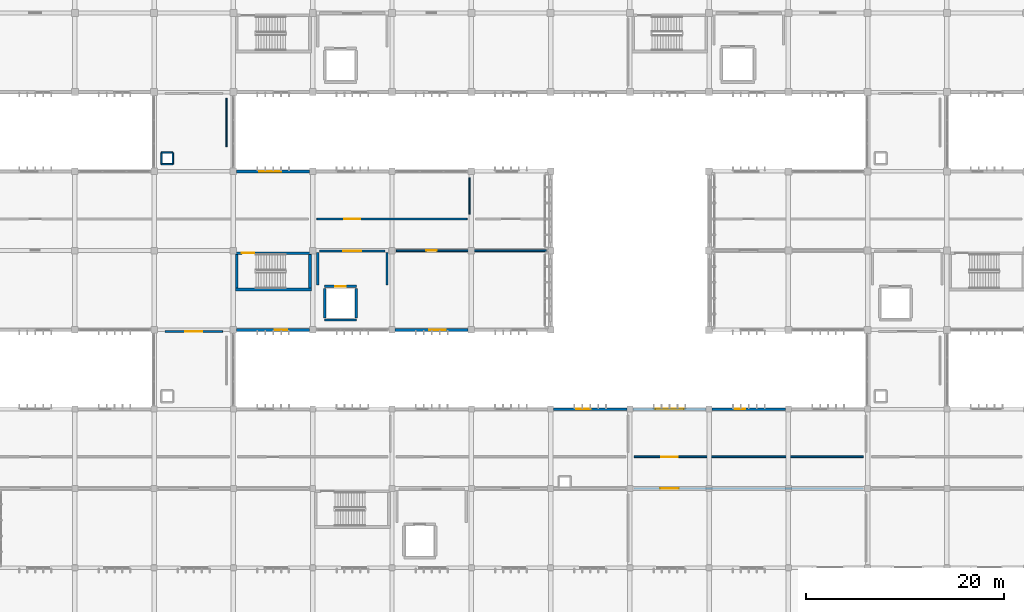
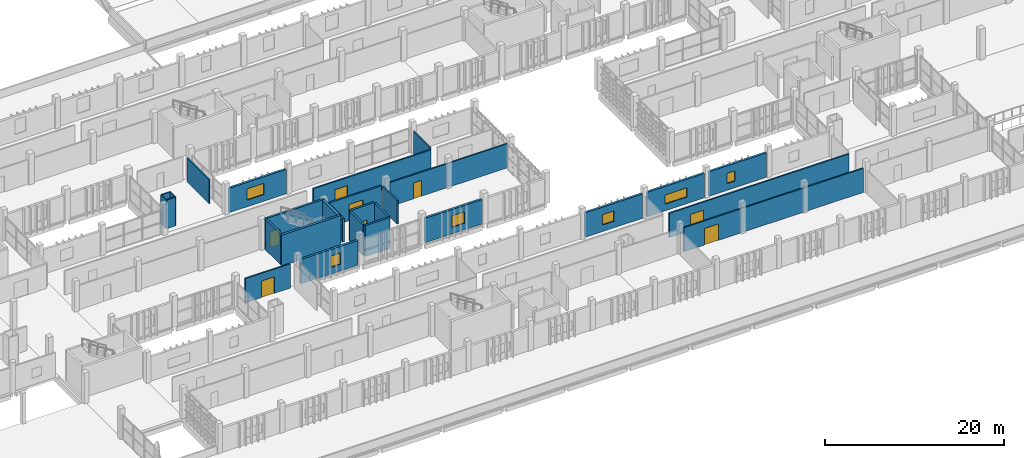
# One storey, part 114 of 137: 28 walls, 8 doors, 6 windows, 14 openings.
"""IFC4 building model written with IfcOpenShell, lengths in metres."""

from ifc_helpers import new_model, si_unit, direction, frame, frame_2d, origin, place, context, subcontext, project, spatial, rectangle, extrude, material, layer, layer_set, type_object, element, fill, save


model = new_model("IFC4")

# Units and contexts
model_context = context("Model", 3, precision=1e-05, world=origin(), true_north=direction((0.0, 1.0)))
body_context = subcontext(model_context, "Body", "Model", "MODEL_VIEW")
ifc_project = project(units=[si_unit("LENGTHUNIT", "METRE"), si_unit("AREAUNIT", "SQUARE_METRE"), si_unit("VOLUMEUNIT", "CUBIC_METRE"), si_unit("PLANEANGLEUNIT", "RADIAN"), si_unit("MASSUNIT", "GRAM", prefix="KILO")], contexts=[model_context])

# Site, building, storey
site_placement = place(None, origin())
site = spatial("IfcSite", under=ifc_project, at=site_placement, CompositionType="ELEMENT")
building_placement = place(site_placement, origin())
building = spatial("IfcBuilding", under=site, at=building_placement, Name="Jelvoka-Kovrelna Polytechnic", CompositionType="ELEMENT")
storey_placement = place(building_placement, frame((0.0, 0.0, 9.60009765625)))
storey = spatial("IfcBuildingStorey", under=building, at=storey_placement, Name="L03", CompositionType="ELEMENT", Elevation=9.60009765625)

# Wall, opening, door
ifc_material_1 = material(Name="Concrete C35/45", Category="concrete")
ifc_layer_1 = layer(ifc_material_1, 0.219970703125)
ifc_layer_set_1 = layer_set([ifc_layer_1], Name="Concrete C35/45")
wall_type_1 = type_object("IfcWallType", Name="Wall_Compartment_220", PredefinedType="PARTITIONING", material=ifc_layer_set_1)
wall_1_placement = place(storey_placement, frame((88.699951171875, 39.949951171875, 0.0), z_axis=(0.0, 0.0, 1.0), x_axis=(1.0, 0.0, 0.0)))
wall_1 = element("IfcWall", 1, at=wall_1_placement, inside=storey, type_object=wall_type_1, Name="L03 interior wall 0424", PredefinedType="PARTITIONING", context=body_context, shape_type="SweptSolid", body=[
    extrude(rectangle(XDim=6.60009765625, YDim=0.219970703125, at=frame_2d((3.300048828125, 0.0))), origin(), (0.0, 0.0, 1.0), 3.27490234375),
])
opening_1_placement = place(wall_1_placement, frame((2.39990234375, 0.0, 0.0)))
opening_1 = element("IfcOpeningElement", 2, at=opening_1_placement, cuts=wall_1, Name="Opening FD-L03-085", PredefinedType="OPENING", context=body_context, shape_type="SweptSolid", body=[
    extrude(rectangle(XDim=1.800048828125, YDim=2.199951171875, at=frame_2d((0.89990234375, 1.10009765625))), frame((0.0, 0.119873046875, 0.0), z_axis=(0.0, -1.0, 0.0), x_axis=(1.0, 0.0, 0.0)), (0.0, 0.0, 1.0), 0.239990234375),
])
ifc_material_2 = material(Name="Paired steel corridor fire door", Category="steel")
door_type_1 = type_object("IfcDoorType", Name="Door_Fire_FD03", OperationType="NOTDEFINED", PredefinedType="DOOR", material=ifc_material_2)
door_1_placement = place(opening_1_placement, origin())
door_1 = element("IfcDoor", 3, at=door_1_placement, inside=storey, type_object=door_type_1, Name="L03 interior door FD-L03-085", OperationType="DOUBLE_DOOR_SINGLE_SWING", OverallHeight=2.199951171875, OverallWidth=1.800048828125, PredefinedType="DOOR", context=body_context, shape_type="SweptSolid", body=[
    extrude(rectangle(XDim=1.800048828125, YDim=2.199951171875, at=frame_2d((0.89990234375, 1.10009765625))), frame((0.0, 0.02490234375, 0.0), z_axis=(0.0, -1.0, 0.0), x_axis=(1.0, 0.0, 0.0)), (0.0, 0.0, 1.0), 0.050048828125),
])
fill(opening_1, door_1)

# Walls
for number, where, z_axis, x_axis, name in (
    (4, (88.5, 36.550048828125, 0.0), (0.0, 0.0, 1.0), (0.0, 1.0, 0.0), "L03 interior wall 0425"),
    (5, (95.5, 36.550048828125, 0.0), (0.0, 0.0, 1.0), (0.0, 1.0, 0.0), "L03 interior wall 0426"),
):
    element("IfcWall", number, at=place(storey_placement, frame(where, z_axis=z_axis, x_axis=x_axis)), inside=storey, type_object=wall_type_1, Name=name, PredefinedType="PARTITIONING", context=body_context, shape_type="SweptSolid", body=[
        extrude(rectangle(XDim=3.25, YDim=0.219970703125, at=frame_2d((1.625, 0.0))), origin(), (0.0, 0.0, 1.0), 3.224853515625),
    ])

# Wall, opening, door
ifc_material_3 = material(Name="Concrete C40/50", Category="concrete")
ifc_layer_2 = layer(ifc_material_3, 0.25)
ifc_layer_set_2 = layer_set([ifc_layer_2], Name="Concrete C40/50")
wall_type_2 = type_object("IfcWallType", Name="Wall_Core_250", PredefinedType="SOLIDWALL", material=ifc_layer_set_2)
wall_2_placement = place(storey_placement, frame((80.199951171875, 39.739990234375, 0.0), z_axis=(0.0, 0.0, 1.0), x_axis=(1.0, 0.0, 0.0)))
wall_2 = element("IfcWall", 6, at=wall_2_placement, inside=storey, type_object=wall_type_2, Name="L03 interior wall 0099", PredefinedType="SOLIDWALL", context=body_context, shape_type="SweptSolid", body=[
    extrude(rectangle(XDim=7.650146484375, YDim=0.25, at=frame_2d((3.8251953125, 0.0))), origin(), (0.0, 0.0, 1.0), 4.199951171875),
])
opening_2_placement = place(wall_2_placement, frame((0.64990234375, 0.0, 0.0)))
opening_2 = element("IfcOpeningElement", 7, at=opening_2_placement, cuts=wall_2, Name="Opening SD-L03-025", PredefinedType="OPENING", context=body_context, shape_type="SweptSolid", body=[
    extrude(rectangle(XDim=1.25, YDim=2.14990234375, at=frame_2d((0.625, 1.074951171875))), frame((0.0, 0.135009765625, 0.0), z_axis=(0.0, -1.0, 0.0), x_axis=(1.0, 0.0, 0.0)), (0.0, 0.0, 1.0), 0.27001953125),
])
ifc_material_4 = material(Name="Powder-coated steel fire door", Category="steel")
door_type_2 = type_object("IfcDoorType", Name="Door_Fire_FD02", OperationType="NOTDEFINED", PredefinedType="DOOR", material=ifc_material_4)
door_2_placement = place(opening_2_placement, origin())
door_2 = element("IfcDoor", 8, at=door_2_placement, inside=storey, type_object=door_type_2, Name="L03 interior door SD-L03-025", OperationType="SINGLE_SWING_LEFT", OverallHeight=2.14990234375, OverallWidth=1.25, PredefinedType="DOOR", context=body_context, shape_type="SweptSolid", body=[
    extrude(rectangle(XDim=1.25, YDim=2.14990234375, at=frame_2d((0.625, 1.074951171875))), frame((0.0, 0.02490234375, 0.0), z_axis=(0.0, -1.0, 0.0), x_axis=(1.0, 0.0, 0.0)), (0.0, 0.0, 1.0), 0.050048828125),
])
fill(opening_2, door_2)

# Walls
wall_3_placement = place(storey_placement, frame((80.324951171875, 36.25, 0.0), z_axis=(0.0, 0.0, 1.0), x_axis=(0.0, 1.0, 0.0)))
element("IfcWall", 9, at=wall_3_placement, inside=storey, type_object=wall_type_2, Name="L03 interior wall 0100", PredefinedType="SOLIDWALL", context=body_context, shape_type="SweptSolid", body=[
    extrude(rectangle(XDim=3.360107421875, YDim=0.25, at=frame_2d((1.68017578125, 0.0))), origin(), (0.0, 0.0, 1.0), 4.199951171875),
])
wall_4_placement = place(storey_placement, frame((89.199951171875, 33.0, 0.0), z_axis=(0.0, 0.0, 1.0), x_axis=(1.0, 0.0, 0.0)))
element("IfcWall", 10, at=wall_4_placement, inside=storey, type_object=wall_type_2, Name="L03 interior wall 0420", PredefinedType="SOLIDWALL", context=body_context, shape_type="SweptSolid", body=[
    extrude(rectangle(XDim=3.199951171875, YDim=0.25, at=frame_2d((1.60009765625, 0.0))), origin(), (0.0, 0.0, 1.0), 4.199951171875),
])

# Wall, opening, door
wall_5_placement = place(storey_placement, frame((89.199951171875, 36.39990234375, 0.0), z_axis=(0.0, 0.0, 1.0), x_axis=(1.0, 0.0, 0.0)))
wall_5 = element("IfcWall", 11, at=wall_5_placement, inside=storey, type_object=wall_type_2, Name="L03 interior wall 0421", PredefinedType="SOLIDWALL", context=body_context, shape_type="SweptSolid", body=[
    extrude(rectangle(XDim=3.199951171875, YDim=0.25, at=frame_2d((1.60009765625, 0.0))), origin(), (0.0, 0.0, 1.0), 4.199951171875),
])
opening_3_placement = place(wall_5_placement, frame((1.050048828125, 0.0, 0.0)))
opening_3 = element("IfcOpeningElement", 12, at=opening_3_placement, cuts=wall_5, Name="Opening LD-L03-22", PredefinedType="OPENING", context=body_context, shape_type="SweptSolid", body=[
    extrude(rectangle(XDim=1.10009765625, YDim=2.14990234375, at=frame_2d((0.550048828125, 1.074951171875))), frame((0.0, 0.135009765625, 0.0), z_axis=(0.0, -1.0, 0.0), x_axis=(1.0, 0.0, 0.0)), (0.0, 0.0, 1.0), 0.27001953125),
])
ifc_material_5 = material(Name="Brushed stainless steel sliding landing door", Category="steel")
door_type_3 = type_object("IfcDoorType", Name="Door_Lift_LD01", OperationType="NOTDEFINED", PredefinedType="DOOR", material=ifc_material_5)
door_3_placement = place(opening_3_placement, origin())
door_3 = element("IfcDoor", 13, at=door_3_placement, inside=storey, type_object=door_type_3, Name="L03 lift landing sliding door LD-L03-22", OperationType="DOUBLE_DOOR_SLIDING", OverallHeight=2.14990234375, OverallWidth=1.10009765625, PredefinedType="DOOR", context=body_context, shape_type="SweptSolid", body=[
    extrude(rectangle(XDim=1.10009765625, YDim=2.14990234375, at=frame_2d((0.550048828125, 1.074951171875))), frame((0.0, 0.02490234375, 0.0), z_axis=(0.0, -1.0, 0.0), x_axis=(1.0, 0.0, 0.0)), (0.0, 0.0, 1.0), 0.050048828125),
])
fill(opening_3, door_3)

# Walls
for number, where, z_axis, x_axis, name in (
    (14, (89.199951171875, 33.199951171875, 0.0), (0.0, 0.0, 1.0), (0.0, 1.0, 0.0), "L03 interior wall 0422"),
    (15, (92.39990234375, 33.199951171875, 0.0), (0.0, 0.0, 1.0), (0.0, 1.0, 0.0), "L03 interior wall 0423"),
):
    element("IfcWall", number, at=place(storey_placement, frame(where, z_axis=z_axis, x_axis=x_axis)), inside=storey, type_object=wall_type_2, Name=name, PredefinedType="SOLIDWALL", context=body_context, shape_type="SweptSolid", body=[
        extrude(rectangle(XDim=3.0, YDim=0.25, at=frame_2d((1.5, 0.0))), origin(), (0.0, 0.0, 1.0), 4.199951171875),
    ])

# Wall, opening, door
ifc_material_6 = material(Name="Autoclaved aerated concrete blockwork", Category="masonry")
ifc_layer_3 = layer(ifc_material_6, 0.179931640625)
ifc_layer_set_3 = layer_set([ifc_layer_3], Name="Autoclaved aerated concrete blockwork")
wall_type_3 = type_object("IfcWallType", Name="Wall_Corridor_180", PredefinedType="PARTITIONING", material=ifc_layer_set_3)
wall_6_placement = place(storey_placement, frame((120.429931640625, 16.0, 0.0), z_axis=(0.0, 0.0, 1.0), x_axis=(1.0, 0.0, 0.0)))
wall_6 = element("IfcWall", 16, at=wall_6_placement, inside=storey, type_object=wall_type_3, Name="L03 interior wall 1039", PredefinedType="PARTITIONING", context=body_context, shape_type="SweptSolid", body=[
    extrude(rectangle(XDim=23.14013671875, YDim=0.179931640625, at=frame_2d((11.570068359375, 0.0))), origin(), (0.0, 0.0, 1.0), 3.27490234375),
])
opening_4_placement = place(wall_6_placement, frame((2.659912109375, 0.0, 0.0)))
opening_4 = element("IfcOpeningElement", 17, at=opening_4_placement, cuts=wall_6, Name="Opening D-L03-283", PredefinedType="OPENING", context=body_context, shape_type="SweptSolid", body=[
    extrude(rectangle(XDim=1.820068359375, YDim=2.25, at=frame_2d((0.91015625, 1.125))), frame((0.0, 0.099853515625, 0.0), z_axis=(0.0, -1.0, 0.0), x_axis=(1.0, 0.0, 0.0)), (0.0, 0.0, 1.0), 0.199951171875),
])
ifc_material_7 = material(Name="Paired hardwood fire-resisting assembly door", Category="wood")
door_type_4 = type_object("IfcDoorType", Name="Door_Fire_FD30_10", OperationType="NOTDEFINED", PredefinedType="DOOR", material=ifc_material_7)
door_4_placement = place(opening_4_placement, origin())
door_4 = element("IfcDoor", 18, at=door_4_placement, inside=storey, type_object=door_type_4, Name="L03 interior door D-L03-283", OperationType="DOUBLE_DOOR_SINGLE_SWING", OverallHeight=2.25, OverallWidth=1.820068359375, PredefinedType="DOOR", context=body_context, shape_type="SweptSolid", body=[
    extrude(rectangle(XDim=1.820068359375, YDim=2.25, at=frame_2d((0.91015625, 1.125))), frame((0.0, 0.02490234375, 0.0), z_axis=(0.0, -1.0, 0.0), x_axis=(1.0, 0.0, 0.0)), (0.0, 0.0, 1.0), 0.050048828125),
])
fill(opening_4, door_4)

wall_7_placement = place(storey_placement, frame((120.429931640625, 19.199951171875, 0.0), z_axis=(0.0, 0.0, 1.0), x_axis=(1.0, 0.0, 0.0)))
wall_7 = element("IfcWall", 19, at=wall_7_placement, inside=storey, type_object=wall_type_3, Name="L03 interior wall 1047", PredefinedType="PARTITIONING", context=body_context, shape_type="SweptSolid", body=[
    extrude(rectangle(XDim=23.14013671875, YDim=0.179931640625, at=frame_2d((11.570068359375, 0.0))), origin(), (0.0, 0.0, 1.0), 3.2998046875),
])
opening_5_placement = place(wall_7_placement, frame((2.739990234375, 0.0, 0.0)))
opening_5 = element("IfcOpeningElement", 20, at=opening_5_placement, cuts=wall_7, Name="Opening D-L03-288", PredefinedType="OPENING", context=body_context, shape_type="SweptSolid", body=[
    extrude(rectangle(XDim=1.659912109375, YDim=2.219970703125, at=frame_2d((0.830078125, 1.10986328125))), frame((0.0, 0.099853515625, 0.0), z_axis=(0.0, -1.0, 0.0), x_axis=(1.0, 0.0, 0.0)), (0.0, 0.0, 1.0), 0.199951171875),
])
ifc_material_8 = material(Name="Paired acoustic fire-resisting lecture door", Category="wood")
door_type_5 = type_object("IfcDoorType", Name="Door_Fire_FD30_08", OperationType="NOTDEFINED", PredefinedType="DOOR", material=ifc_material_8)
door_5_placement = place(opening_5_placement, origin())
door_5 = element("IfcDoor", 21, at=door_5_placement, inside=storey, type_object=door_type_5, Name="L03 interior door D-L03-288", OperationType="DOUBLE_DOOR_SINGLE_SWING", OverallHeight=2.219970703125, OverallWidth=1.659912109375, PredefinedType="DOOR", context=body_context, shape_type="SweptSolid", body=[
    extrude(rectangle(XDim=1.659912109375, YDim=2.219970703125, at=frame_2d((0.830078125, 1.10986328125))), frame((0.0, 0.02490234375, 0.0), z_axis=(0.0, -1.0, 0.0), x_axis=(1.0, 0.0, 0.0)), (0.0, 0.0, 1.0), 0.050048828125),
])
fill(opening_5, door_5)

wall_8_placement = place(storey_placement, frame((96.429931640625, 40.0, 0.0), z_axis=(0.0, 0.0, 1.0), x_axis=(1.0, 0.0, 0.0)))
wall_8 = element("IfcWall", 22, at=wall_8_placement, inside=storey, type_object=wall_type_3, Name="L03 interior wall 1051", PredefinedType="PARTITIONING", context=body_context, shape_type="SweptSolid", body=[
    extrude(rectangle(XDim=15.14013671875, YDim=0.179931640625, at=frame_2d((7.570068359375, 0.0))), origin(), (0.0, 0.0, 1.0), 3.27490234375),
])
opening_6_placement = place(wall_8_placement, frame((3.044921875, 0.0, 0.0)))
opening_6 = element("IfcOpeningElement", 23, at=opening_6_placement, cuts=wall_8, Name="Opening D-L03-291", PredefinedType="OPENING", context=body_context, shape_type="SweptSolid", body=[
    extrude(rectangle(XDim=1.050048828125, YDim=2.14990234375, at=frame_2d((0.52490234375, 1.074951171875))), frame((0.0, 0.099853515625, 0.0), z_axis=(0.0, -1.0, 0.0), x_axis=(1.0, 0.0, 0.0)), (0.0, 0.0, 1.0), 0.199951171875),
])
ifc_material_9 = material(Name="Hardwood fire-resisting laboratory door", Category="wood")
door_type_6 = type_object("IfcDoorType", Name="Door_Fire_FD30_02", OperationType="NOTDEFINED", PredefinedType="DOOR", material=ifc_material_9)
door_6_placement = place(opening_6_placement, origin())
door_6 = element("IfcDoor", 24, at=door_6_placement, inside=storey, type_object=door_type_6, Name="L03 interior door D-L03-291", OperationType="SINGLE_SWING_RIGHT", OverallHeight=2.14990234375, OverallWidth=1.050048828125, PredefinedType="DOOR", context=body_context, shape_type="SweptSolid", body=[
    extrude(rectangle(XDim=1.050048828125, YDim=2.14990234375, at=frame_2d((0.52490234375, 1.074951171875))), frame((0.0, 0.02490234375, 0.0), z_axis=(0.0, -1.0, 0.0), x_axis=(1.0, 0.0, 0.0)), (0.0, 0.0, 1.0), 0.050048828125),
])
fill(opening_6, door_6)

wall_9_placement = place(storey_placement, frame((88.429931640625, 43.199951171875, 0.0), z_axis=(0.0, 0.0, 1.0), x_axis=(1.0, 0.0, 0.0)))
wall_9 = element("IfcWall", 25, at=wall_9_placement, inside=storey, type_object=wall_type_3, Name="L03 interior wall 1053", PredefinedType="PARTITIONING", context=body_context, shape_type="SweptSolid", body=[
    extrude(rectangle(XDim=15.14013671875, YDim=0.179931640625, at=frame_2d((7.570068359375, 0.0))), origin(), (0.0, 0.0, 1.0), 3.2998046875),
])
opening_7_placement = place(wall_9_placement, frame((2.760009765625, 0.0, 0.0)))
opening_7 = element("IfcOpeningElement", 26, at=opening_7_placement, cuts=wall_9, Name="Opening D-L03-293", PredefinedType="OPENING", context=body_context, shape_type="SweptSolid", body=[
    extrude(rectangle(XDim=1.6201171875, YDim=2.199951171875, at=frame_2d((0.81005859375, 1.10009765625))), frame((0.0, 0.099853515625, 0.0), z_axis=(0.0, -1.0, 0.0), x_axis=(1.0, 0.0, 0.0)), (0.0, 0.0, 1.0), 0.199951171875),
])
ifc_material_10 = material(Name="Paired library reading hall door", Category="wood")
door_type_7 = type_object("IfcDoorType", Name="Door_Int_D19", OperationType="NOTDEFINED", PredefinedType="DOOR", material=ifc_material_10)
door_7_placement = place(opening_7_placement, origin())
door_7 = element("IfcDoor", 27, at=door_7_placement, inside=storey, type_object=door_type_7, Name="L03 interior door D-L03-293", OperationType="DOUBLE_DOOR_SINGLE_SWING", OverallHeight=2.199951171875, OverallWidth=1.6201171875, PredefinedType="DOOR", context=body_context, shape_type="SweptSolid", body=[
    extrude(rectangle(XDim=1.6201171875, YDim=2.199951171875, at=frame_2d((0.81005859375, 1.10009765625))), frame((0.0, 0.02490234375, 0.0), z_axis=(0.0, -1.0, 0.0), x_axis=(1.0, 0.0, 0.0)), (0.0, 0.0, 1.0), 0.050048828125),
])
fill(opening_7, door_7)

wall_10_placement = place(storey_placement, frame((73.10009765625, 31.85009765625, 0.0), z_axis=(0.0, 0.0, 1.0), x_axis=(1.0, 0.0, 0.0)))
wall_10 = element("IfcWall", 28, at=wall_10_placement, inside=storey, type_object=wall_type_3, Name="L03 interior wall 1077", PredefinedType="PARTITIONING", context=body_context, shape_type="SweptSolid", body=[
    extrude(rectangle(XDim=5.7998046875, YDim=0.179931640625, at=frame_2d((2.89990234375, 0.0))), origin(), (0.0, 0.0, 1.0), 3.2998046875),
])
opening_8_placement = place(wall_10_placement, frame((2.06005859375, 0.0, 0.0)))
opening_8 = element("IfcOpeningElement", 29, at=opening_8_placement, cuts=wall_10, Name="Opening D-L03-311", PredefinedType="OPENING", context=body_context, shape_type="SweptSolid", body=[
    extrude(rectangle(XDim=1.679931640625, YDim=2.25, at=frame_2d((0.83984375, 1.125))), frame((0.0, 0.099853515625, 0.0), z_axis=(0.0, -1.0, 0.0), x_axis=(1.0, 0.0, 0.0)), (0.0, 0.0, 1.0), 0.199951171875),
])
ifc_material_11 = material(Name="Paired acoustic lecture theatre door", Category="wood")
door_type_8 = type_object("IfcDoorType", Name="Door_Int_D20", OperationType="NOTDEFINED", PredefinedType="DOOR", material=ifc_material_11)
door_8_placement = place(opening_8_placement, origin())
door_8 = element("IfcDoor", 30, at=door_8_placement, inside=storey, type_object=door_type_8, Name="L03 interior door D-L03-311", OperationType="DOUBLE_DOOR_SINGLE_SWING", OverallHeight=2.25, OverallWidth=1.679931640625, PredefinedType="DOOR", context=body_context, shape_type="SweptSolid", body=[
    extrude(rectangle(XDim=1.679931640625, YDim=2.25, at=frame_2d((0.83984375, 1.125))), frame((0.0, 0.02490234375, 0.0), z_axis=(0.0, -1.0, 0.0), x_axis=(1.0, 0.0, 0.0)), (0.0, 0.0, 1.0), 0.050048828125),
])
fill(opening_8, door_8)

# Wall, opening, window
ifc_material_12 = material(Name="Precast concrete C40/50", Category="concrete")
ifc_layer_4 = layer(ifc_material_12, 0.280029296875)
ifc_layer_set_4 = layer_set([ifc_layer_4], Name="Precast concrete C40/50")
wall_type_4 = type_object("IfcWallType", Name="Wall_Ext_White_280", PredefinedType="STANDARD", material=ifc_layer_set_4)
wall_11_placement = place(storey_placement, frame((112.297119140625, 24.0, 0.0), z_axis=(0.0, 0.0, 1.0), x_axis=(1.0, 0.0, 0.0)))
wall_11 = element("IfcWall", 31, at=wall_11_placement, inside=storey, type_object=wall_type_4, Name="L03 exterior wall 0296", PredefinedType="STANDARD", context=body_context, shape_type="SweptSolid", body=[
    extrude(rectangle(XDim=7.40576171875, YDim=0.280029296875, at=frame_2d((3.702880859375, 0.0))), origin(), (0.0, 0.0, 1.0), 3.324951171875),
])
opening_9_placement = place(wall_11_placement, frame((2.282958984375, 0.0, 0.89990234375)))
opening_9 = element("IfcOpeningElement", 32, at=opening_9_placement, cuts=wall_11, Name="Opening W-L03-058", PredefinedType="OPENING", context=body_context, shape_type="SweptSolid", body=[
    extrude(rectangle(XDim=1.449951171875, YDim=1.39990234375, at=frame_2d((0.72509765625, 0.699951171875))), frame((0.0, 0.150146484375, 0.0), z_axis=(0.0, -1.0, 0.0), x_axis=(1.0, 0.0, 0.0)), (0.0, 0.0, 1.0), 0.300048828125),
])
ifc_material_13 = material(Name="Thermally broken anodised aluminium and low-e glazing", Category="aluminium")
window_type_1 = type_object("IfcWindowType", Name="Win_Casement_W13", PartitioningType="SINGLE_PANEL", PredefinedType="WINDOW", material=ifc_material_13)
window_1_placement = place(opening_9_placement, origin())
window_1 = element("IfcWindow", 33, at=window_1_placement, inside=storey, type_object=window_type_1, Name="L03 aluminium casement window W-L03-058", OverallHeight=1.39990234375, OverallWidth=1.449951171875, PartitioningType="SINGLE_PANEL", PredefinedType="WINDOW", context=body_context, shape_type="SweptSolid", body=[
    extrude(rectangle(XDim=1.449951171875, YDim=1.39990234375, at=frame_2d((0.72509765625, 0.699951171875))), frame((0.0, 0.030029296875, 0.0), z_axis=(0.0, -1.0, 0.0), x_axis=(1.0, 0.0, 0.0)), (0.0, 0.0, 1.0), 0.06005859375),
])
fill(opening_9, window_1)

wall_12_placement = place(storey_placement, frame((120.297119140625, 24.0, 0.0), z_axis=(0.0, 0.0, 1.0), x_axis=(1.0, 0.0, 0.0)))
wall_12 = element("IfcWall", 34, at=wall_12_placement, inside=storey, type_object=wall_type_4, Name="L03 exterior wall 0298", PredefinedType="STANDARD", context=body_context, shape_type="SweptSolid", body=[
    extrude(rectangle(XDim=7.40576171875, YDim=0.280029296875, at=frame_2d((3.702880859375, 0.0))), origin(), (0.0, 0.0, 1.0), 3.324951171875),
])
opening_10_placement = place(wall_12_placement, frame((2.282958984375, 0.0, 0.89990234375)))
opening_10 = element("IfcOpeningElement", 35, at=opening_10_placement, cuts=wall_12, Name="Opening W-L03-060", PredefinedType="OPENING", context=body_context, shape_type="SweptSolid", body=[
    extrude(rectangle(XDim=2.85009765625, YDim=1.25, at=frame_2d((1.425048828125, 0.625))), frame((0.0, 0.150146484375, 0.0), z_axis=(0.0, -1.0, 0.0), x_axis=(1.0, 0.0, 0.0)), (0.0, 0.0, 1.0), 0.300048828125),
])
ifc_material_14 = material(Name="Thermally broken anodised aluminium and low-e glazing", Category="aluminium")
window_type_2 = type_object("IfcWindowType", Name="Win_Casement_W10", PartitioningType="DOUBLE_PANEL_VERTICAL", PredefinedType="WINDOW", material=ifc_material_14)
window_2_placement = place(opening_10_placement, origin())
window_2 = element("IfcWindow", 36, at=window_2_placement, inside=storey, type_object=window_type_2, Name="L03 aluminium casement window W-L03-060", OverallHeight=1.25, OverallWidth=2.85009765625, PartitioningType="DOUBLE_PANEL_VERTICAL", PredefinedType="WINDOW", context=body_context, shape_type="SweptSolid", body=[
    extrude(rectangle(XDim=2.85009765625, YDim=1.25, at=frame_2d((1.425048828125, 0.625))), frame((0.0, 0.030029296875, 0.0), z_axis=(0.0, -1.0, 0.0), x_axis=(1.0, 0.0, 0.0)), (0.0, 0.0, 1.0), 0.06005859375),
])
fill(opening_10, window_2)

wall_13_placement = place(storey_placement, frame((128.297119140625, 24.0, 0.0), z_axis=(0.0, 0.0, 1.0), x_axis=(1.0, 0.0, 0.0)))
wall_13 = element("IfcWall", 37, at=wall_13_placement, inside=storey, type_object=wall_type_4, Name="L03 exterior wall 0300", PredefinedType="STANDARD", context=body_context, shape_type="SweptSolid", body=[
    extrude(rectangle(XDim=7.40576171875, YDim=0.280029296875, at=frame_2d((3.702880859375, 0.0))), origin(), (0.0, 0.0, 1.0), 3.324951171875),
])
opening_11_placement = place(wall_13_placement, frame((2.282958984375, 0.0, 0.89990234375)))
opening_11 = element("IfcOpeningElement", 38, at=opening_11_placement, cuts=wall_13, Name="Opening W-L03-062", PredefinedType="OPENING", context=body_context, shape_type="SweptSolid", body=[
    extrude(rectangle(XDim=1.050048828125, YDim=1.39990234375, at=frame_2d((0.52490234375, 0.699951171875))), frame((0.0, 0.150146484375, 0.0), z_axis=(0.0, -1.0, 0.0), x_axis=(1.0, 0.0, 0.0)), (0.0, 0.0, 1.0), 0.300048828125),
])
ifc_material_15 = material(Name="Thermally broken anodised aluminium and low-e glazing", Category="aluminium")
window_type_3 = type_object("IfcWindowType", Name="Win_Casement_W11", PartitioningType="SINGLE_PANEL", PredefinedType="WINDOW", material=ifc_material_15)
window_3_placement = place(opening_11_placement, origin())
window_3 = element("IfcWindow", 39, at=window_3_placement, inside=storey, type_object=window_type_3, Name="L03 aluminium casement window W-L03-062", OverallHeight=1.39990234375, OverallWidth=1.050048828125, PartitioningType="SINGLE_PANEL", PredefinedType="WINDOW", context=body_context, shape_type="SweptSolid", body=[
    extrude(rectangle(XDim=1.050048828125, YDim=1.39990234375, at=frame_2d((0.52490234375, 0.699951171875))), frame((0.0, 0.030029296875, 0.0), z_axis=(0.0, -1.0, 0.0), x_axis=(1.0, 0.0, 0.0)), (0.0, 0.0, 1.0), 0.06005859375),
])
fill(opening_11, window_3)

wall_14_placement = place(storey_placement, frame((87.677978515625, 32.0, 0.0), z_axis=(0.0, 0.0, 1.0), x_axis=(-1.0, 0.0, 0.0)))
wall_14 = element("IfcWall", 40, at=wall_14_placement, inside=storey, type_object=wall_type_4, Name="L03 exterior wall 0390", PredefinedType="STANDARD", context=body_context, shape_type="SweptSolid", body=[
    extrude(rectangle(XDim=7.35595703125, YDim=0.280029296875, at=frame_2d((3.677978515625, 0.0))), origin(), (0.0, 0.0, 1.0), 3.324951171875),
])
opening_12_placement = place(wall_14_placement, frame((2.258056640625, 0.0, 0.89990234375)))
opening_12 = element("IfcOpeningElement", 41, at=opening_12_placement, cuts=wall_14, Name="Opening W-L03-131", PredefinedType="OPENING", context=body_context, shape_type="SweptSolid", body=[
    extrude(rectangle(XDim=1.25, YDim=1.550048828125, at=frame_2d((0.625, 0.77490234375))), frame((0.0, 0.150146484375, 0.0), z_axis=(0.0, -1.0, 0.0), x_axis=(1.0, 0.0, 0.0)), (0.0, 0.0, 1.0), 0.300048828125),
])
ifc_material_16 = material(Name="Thermally broken anodised aluminium and low-e glazing", Category="aluminium")
window_type_4 = type_object("IfcWindowType", Name="Win_Casement_W22", PartitioningType="SINGLE_PANEL", PredefinedType="WINDOW", material=ifc_material_16)
window_4_placement = place(opening_12_placement, origin())
window_4 = element("IfcWindow", 42, at=window_4_placement, inside=storey, type_object=window_type_4, Name="L03 aluminium casement window W-L03-131", OverallHeight=1.550048828125, OverallWidth=1.25, PartitioningType="SINGLE_PANEL", PredefinedType="WINDOW", context=body_context, shape_type="SweptSolid", body=[
    extrude(rectangle(XDim=1.25, YDim=1.550048828125, at=frame_2d((0.625, 0.77490234375))), frame((0.0, 0.030029296875, 0.0), z_axis=(0.0, -1.0, 0.0), x_axis=(1.0, 0.0, 0.0)), (0.0, 0.0, 1.0), 0.06005859375),
])
fill(opening_12, window_4)

wall_15_placement = place(storey_placement, frame((80.322021484375, 48.0, 0.0), z_axis=(0.0, 0.0, 1.0), x_axis=(1.0, 0.0, 0.0)))
wall_15 = element("IfcWall", 43, at=wall_15_placement, inside=storey, type_object=wall_type_4, Name="L03 exterior wall 0391", PredefinedType="STANDARD", context=body_context, shape_type="SweptSolid", body=[
    extrude(rectangle(XDim=7.35595703125, YDim=0.280029296875, at=frame_2d((3.677978515625, 0.0))), origin(), (0.0, 0.0, 1.0), 3.324951171875),
])
opening_13_placement = place(wall_15_placement, frame((2.258056640625, 0.0, 0.89990234375)))
opening_13 = element("IfcOpeningElement", 44, at=opening_13_placement, cuts=wall_15, Name="Opening W-L03-132", PredefinedType="OPENING", context=body_context, shape_type="SweptSolid", body=[
    extrude(rectangle(XDim=2.25, YDim=1.550048828125, at=frame_2d((1.125, 0.77490234375))), frame((0.0, 0.150146484375, 0.0), z_axis=(0.0, -1.0, 0.0), x_axis=(1.0, 0.0, 0.0)), (0.0, 0.0, 1.0), 0.300048828125),
])
ifc_material_17 = material(Name="Thermally broken anodised aluminium and low-e glazing", Category="aluminium")
window_type_5 = type_object("IfcWindowType", Name="Win_Casement_W27", PartitioningType="DOUBLE_PANEL_VERTICAL", PredefinedType="WINDOW", material=ifc_material_17)
window_5_placement = place(opening_13_placement, origin())
window_5 = element("IfcWindow", 45, at=window_5_placement, inside=storey, type_object=window_type_5, Name="L03 aluminium casement window W-L03-132", OverallHeight=1.550048828125, OverallWidth=2.25, PartitioningType="DOUBLE_PANEL_VERTICAL", PredefinedType="WINDOW", context=body_context, shape_type="SweptSolid", body=[
    extrude(rectangle(XDim=2.25, YDim=1.550048828125, at=frame_2d((1.125, 0.77490234375))), frame((0.0, 0.030029296875, 0.0), z_axis=(0.0, -1.0, 0.0), x_axis=(1.0, 0.0, 0.0)), (0.0, 0.0, 1.0), 0.06005859375),
])
fill(opening_13, window_5)

wall_16_placement = place(storey_placement, frame((103.677978515625, 32.0, 0.0), z_axis=(0.0, 0.0, 1.0), x_axis=(-1.0, 0.0, 0.0)))
wall_16 = element("IfcWall", 46, at=wall_16_placement, inside=storey, type_object=wall_type_4, Name="L03 exterior wall 0393", PredefinedType="STANDARD", context=body_context, shape_type="SweptSolid", body=[
    extrude(rectangle(XDim=7.35595703125, YDim=0.280029296875, at=frame_2d((3.677978515625, 0.0))), origin(), (0.0, 0.0, 1.0), 3.324951171875),
])
opening_14_placement = place(wall_16_placement, frame((2.258056640625, 0.0, 0.89990234375)))
opening_14 = element("IfcOpeningElement", 47, at=opening_14_placement, cuts=wall_16, Name="Opening W-L03-134", PredefinedType="OPENING", context=body_context, shape_type="SweptSolid", body=[
    extrude(rectangle(XDim=1.64990234375, YDim=1.550048828125, at=frame_2d((0.824951171875, 0.77490234375))), frame((0.0, 0.150146484375, 0.0), z_axis=(0.0, -1.0, 0.0), x_axis=(1.0, 0.0, 0.0)), (0.0, 0.0, 1.0), 0.300048828125),
])
ifc_material_18 = material(Name="Thermally broken anodised aluminium and low-e glazing", Category="aluminium")
window_type_6 = type_object("IfcWindowType", Name="Win_Casement_W24", PartitioningType="DOUBLE_PANEL_VERTICAL", PredefinedType="WINDOW", material=ifc_material_18)
window_6_placement = place(opening_14_placement, origin())
window_6 = element("IfcWindow", 48, at=window_6_placement, inside=storey, type_object=window_type_6, Name="L03 aluminium casement window W-L03-134", OverallHeight=1.550048828125, OverallWidth=1.64990234375, PartitioningType="DOUBLE_PANEL_VERTICAL", PredefinedType="WINDOW", context=body_context, shape_type="SweptSolid", body=[
    extrude(rectangle(XDim=1.64990234375, YDim=1.550048828125, at=frame_2d((0.824951171875, 0.77490234375))), frame((0.0, 0.030029296875, 0.0), z_axis=(0.0, -1.0, 0.0), x_axis=(1.0, 0.0, 0.0)), (0.0, 0.0, 1.0), 0.06005859375),
])
fill(opening_14, window_6)

# Walls
ifc_material_19 = material(Name="Acoustic gypsum stud partition")
ifc_layer_5 = layer(ifc_material_19, 0.125)
ifc_layer_set_5 = layer_set([ifc_layer_5], Name="Acoustic gypsum stud partition")
wall_type_5 = type_object("IfcWallType", Name="Wall_Partition_125", PredefinedType="PARTITIONING", material=ifc_layer_set_5)
wall_17_placement = place(storey_placement, frame((103.820068359375, 43.669921875, 0.0), z_axis=(0.0, 0.0, 1.0), x_axis=(0.0, 1.0, 0.0)))
element("IfcWall", 49, at=wall_17_placement, inside=storey, type_object=wall_type_5, Name="L03 interior wall 1054", PredefinedType="PARTITIONING", context=body_context, shape_type="SweptSolid", body=[
    extrude(rectangle(XDim=3.7099609375, YDim=0.125, at=frame_2d((1.85498046875, 0.0))), origin(), (0.0, 0.0, 1.0), 3.224853515625),
])
wall_18_placement = place(storey_placement, frame((79.300048828125, 50.469970703125, 0.0), z_axis=(0.0, 0.0, 1.0), x_axis=(0.0, 1.0, 0.0)))
element("IfcWall", 50, at=wall_18_placement, inside=storey, type_object=wall_type_5, Name="L03 interior wall 1082", PredefinedType="PARTITIONING", context=body_context, shape_type="SweptSolid", body=[
    extrude(rectangle(XDim=4.909912109375, YDim=0.125, at=frame_2d((2.455078125, 0.0))), origin(), (0.0, 0.0, 1.0), 3.2998046875),
])
ifc_material_20 = material(Name="Autoclaved aerated concrete blockwork", Category="masonry")
ifc_layer_6 = layer(ifc_material_20, 0.14990234375)
ifc_layer_set_6 = layer_set([ifc_layer_6], Name="Autoclaved aerated concrete blockwork")
wall_type_6 = type_object("IfcWallType", Name="Wall_Partition_150", PredefinedType="PARTITIONING", material=ifc_layer_set_6)
for number, where, z_axis, x_axis, name in (
    (51, (72.719970703125, 48.719970703125, 0.0), (0.0, 0.0, 1.0), (1.0, 0.0, 0.0), "L03 interior wall 0729"),
    (52, (73.8798828125, 48.719970703125, 0.0), (0.0, 0.0, 1.0), (0.0, 1.0, 0.0), "L03 interior wall 0730"),
    (53, (73.8798828125, 49.8798828125, 0.0), (0.0, 0.0, 1.0), (-1.0, 0.0, 0.0), "L03 interior wall 0731"),
    (54, (72.719970703125, 49.8798828125, 0.0), (0.0, 0.0, 1.0), (0.0, -1.0, 0.0), "L03 interior wall 0732"),
):
    element("IfcWall", number, at=place(storey_placement, frame(where, z_axis=z_axis, x_axis=x_axis)), inside=storey, type_object=wall_type_6, Name=name, PredefinedType="PARTITIONING", context=body_context, shape_type="SweptSolid", body=[
        extrude(rectangle(XDim=1.159912109375, YDim=0.14990234375, at=frame_2d((0.580078125, 0.0))), origin(), (0.0, 0.0, 1.0), 3.89990234375),
    ])
ifc_material_21 = material(Name="Concrete C40/50", Category="concrete")
ifc_layer_7 = layer(ifc_material_21, 0.300048828125)
ifc_layer_set_7 = layer_set([ifc_layer_7], Name="Concrete C40/50")
wall_type_7 = type_object("IfcWallType", Name="Wall_Shear_300", PredefinedType="SHEAR", material=ifc_layer_set_7)
wall_19_placement = place(storey_placement, frame((80.199951171875, 36.090087890625, 0.0), z_axis=(0.0, 0.0, 1.0), x_axis=(1.0, 0.0, 0.0)))
element("IfcWall", 55, at=wall_19_placement, inside=storey, type_object=wall_type_7, Name="L03 interior wall 0097", PredefinedType="SHEAR", context=body_context, shape_type="SweptSolid", body=[
    extrude(rectangle(XDim=7.650146484375, YDim=0.300048828125, at=frame_2d((3.8251953125, 0.0))), origin(), (0.0, 0.0, 1.0), 4.199951171875),
])
wall_20_placement = place(storey_placement, frame((87.7099609375, 36.25, 0.0), z_axis=(0.0, 0.0, 1.0), x_axis=(0.0, 1.0, 0.0)))
element("IfcWall", 56, at=wall_20_placement, inside=storey, type_object=wall_type_7, Name="L03 interior wall 0098", PredefinedType="SHEAR", context=body_context, shape_type="SweptSolid", body=[
    extrude(rectangle(XDim=3.360107421875, YDim=0.300048828125, at=frame_2d((1.68017578125, 0.0))), origin(), (0.0, 0.0, 1.0), 4.199951171875),
])

save(model, "model.ifc")
